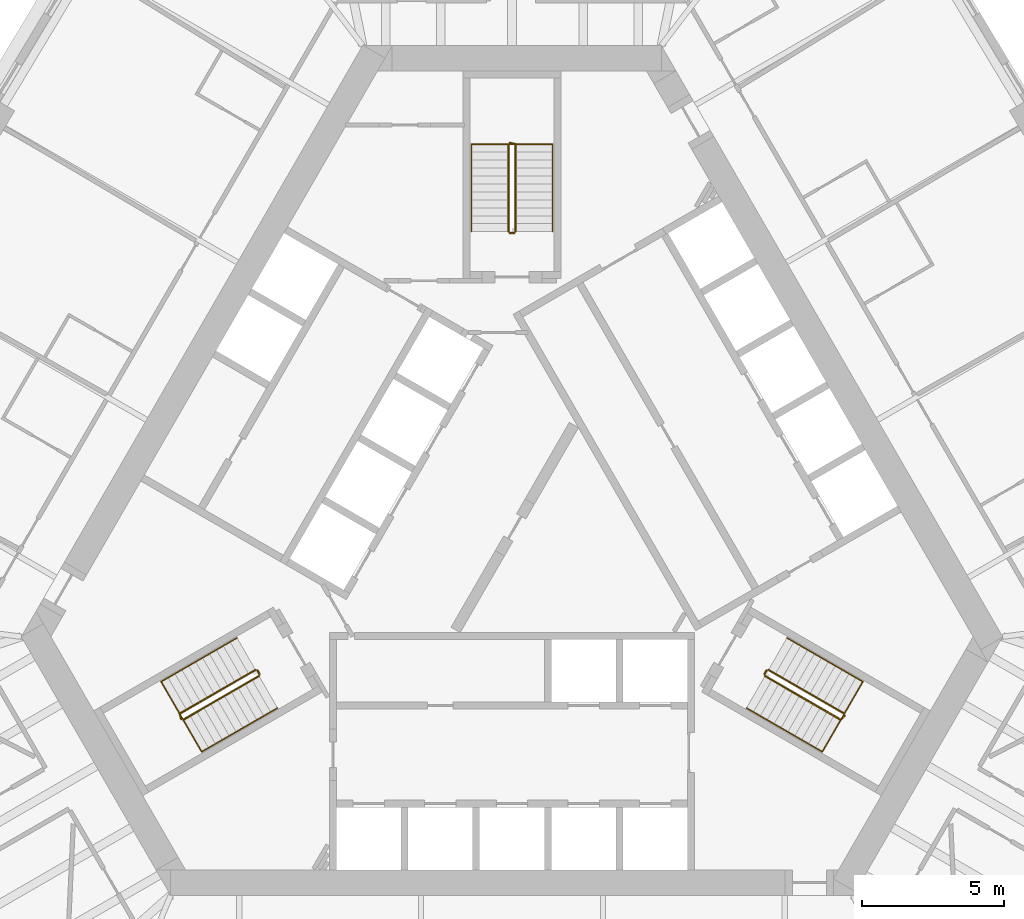
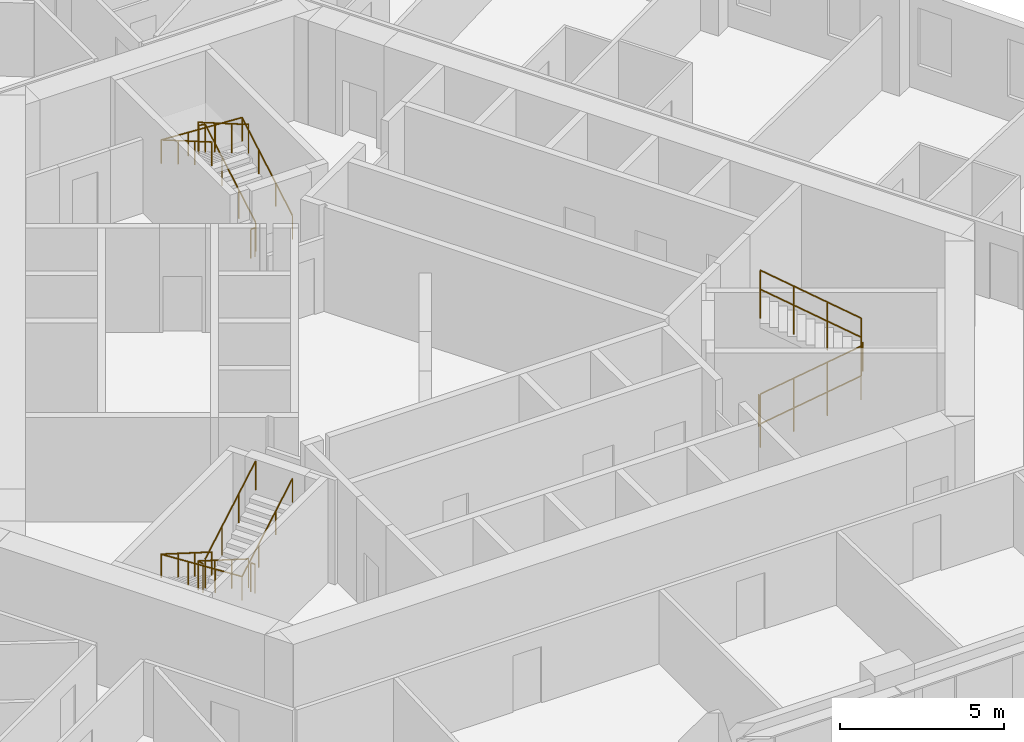
# One storey, part 12 of 12: 12 railings.
"""IFC4 building model written with IfcOpenShell, lengths in metres."""

import ifcopenshell
import ifcopenshell.guid

model = None  # the IFC model being written
_history = None  # IfcOwnerHistory: only IFC2X3 demands one
_inside = {}  # id of a spatial element -> (the spatial element, [elements in it])
_under = {}  # id of a project, library or spatial element -> (it, [spatial elements below it])
_declared = {}  # id of a project -> (the project, [libraries it declares])
_typed = {}  # id of a type object -> (the type object, [elements of that type])
_made_of = {}  # id of a material, layer set ... -> (it, [elements and type objects made of it])


def new_model(schema):
    """Start an empty IFC model of exactly this schema.

    Asked for "IFC4X3", IfcOpenShell would pick the latest addendum, in which some entities
    have other attributes; the version numbers below select the first issue.
    IFC2X3 requires an IfcOwnerHistory on every rooted entity: one is made here for all.
    """
    global model, _history
    if schema == "IFC4X3":
        model = ifcopenshell.file(schema_version=(4, 3, 0, 0))
    else:
        model = ifcopenshell.file(schema=schema)
    _inside.clear()
    _under.clear()
    _declared.clear()
    _typed.clear()
    _made_of.clear()
    _history = None
    if model.schema == "IFC2X3":
        org = make("IfcOrganization", Name="unknown")
        user = make(
            "IfcPersonAndOrganization",
            ThePerson=make("IfcPerson", FamilyName="unknown"),
            TheOrganization=org,
        )
        app = make(
            "IfcApplication",
            ApplicationDeveloper=org,
            Version="unknown",
            ApplicationFullName="unknown",
            ApplicationIdentifier="unknown",
        )
        _history = make(
            "IfcOwnerHistory",
            OwningUser=user,
            OwningApplication=app,
            ChangeAction="ADDED",
            CreationDate=0,
        )
    return model


def make(cls, **values):
    """One entity of the class cls with the attributes given. An attribute that is None is left unset."""
    return model.create_entity(
        cls, **{name: value for name, value in values.items() if value is not None}
    )


def rooted(cls, **values):
    """An entity with a GlobalId (a new one), such as an element, a storey or a relation."""
    return make(cls, GlobalId=ifcopenshell.guid.new(), OwnerHistory=_history, **values)


def si_unit(unit_type, name, prefix=None):
    """IfcSIUnit, for example si_unit("LENGTHUNIT", "METRE", prefix="MILLI")."""
    return make("IfcSIUnit", UnitType=unit_type, Prefix=prefix, Name=name)


def assignment(units):
    """IfcUnitAssignment: the units of a project."""
    return None if units is None else make("IfcUnitAssignment", Units=units)


def point(xyz):
    """IfcCartesianPoint."""
    return None if xyz is None else make("IfcCartesianPoint", Coordinates=xyz)


def direction(xyz):
    """IfcDirection."""
    return None if xyz is None else make("IfcDirection", DirectionRatios=xyz)


def frame(location, z_axis=None, x_axis=None):
    """IfcAxis2Placement3D, a coordinate frame: its origin and axes. An axis left out is left unset."""
    return make(
        "IfcAxis2Placement3D",
        Location=point(location),
        Axis=direction(z_axis),
        RefDirection=direction(x_axis),
    )


def frame_2d(location, x_axis=None):
    """IfcAxis2Placement2D, a coordinate frame in the plane: its origin and x axis."""
    return make(
        "IfcAxis2Placement2D", Location=point(location), RefDirection=direction(x_axis)
    )


def origin():
    """The frame at (0, 0, 0) with its axes left unset."""
    return frame((0.0, 0.0, 0.0))


def origin_2d():
    """The frame at (0, 0) in the plane with its x axis left unset."""
    return frame_2d((0.0, 0.0))


def place(relative_to, where):
    """IfcLocalPlacement: puts the frame where relative to a parent placement (None: the world)."""
    return make(
        "IfcLocalPlacement", PlacementRelTo=relative_to, RelativePlacement=where
    )


def context(
    kind, dimensions, precision=None, world=None, true_north=None, identifier=None
):
    """IfcGeometricRepresentationContext, for example the 3D "Model" context."""
    return make(
        "IfcGeometricRepresentationContext",
        ContextIdentifier=identifier,
        ContextType=kind,
        CoordinateSpaceDimension=dimensions,
        Precision=precision,
        WorldCoordinateSystem=world,
        TrueNorth=true_north,
    )


def subcontext(parent, identifier, kind, view, scale=None):
    """IfcGeometricRepresentationSubContext, for example "Body" below "Model"."""
    return make(
        "IfcGeometricRepresentationSubContext",
        ContextIdentifier=identifier,
        ContextType=kind,
        ParentContext=parent,
        TargetScale=scale,
        TargetView=view,
    )


def project(units=None, contexts=None):
    """IfcProject with its units and contexts."""
    return rooted(
        "IfcProject",
        Name="project",
        RepresentationContexts=contexts,
        UnitsInContext=assignment(units),
    )


def spatial(cls, under=None, at=None, **own):
    """A site, building, storey or space (cls), placed at a placement, below another one or the project."""
    s = rooted(cls, ObjectPlacement=at, **own)
    if under is not None:
        _under.setdefault(under.id(), (under, []))[1].append(s)
    return s


def profile(cls, at=None, kind="AREA", **sizes):
    """A parametric profile (cls). Its sizes go by their IFC names, for example OverallWidth=200.0."""
    return make(cls, ProfileType=kind, Position=at, **sizes)


def circle(**sizes):
    """IfcCircleProfileDef."""
    return profile("IfcCircleProfileDef", **sizes)


def extrude(swept, where, along, depth):
    """IfcExtrudedAreaSolid: the profile swept, set in the frame where, extruded along a direction by depth."""
    return make(
        "IfcExtrudedAreaSolid",
        SweptArea=swept,
        Position=where,
        ExtrudedDirection=direction(along),
        Depth=depth,
    )


def shape(context_of_items, identifier, shape_type, items):
    """IfcShapeRepresentation: the items that make up one representation, for example the "Body"."""
    return make(
        "IfcShapeRepresentation",
        ContextOfItems=context_of_items,
        RepresentationIdentifier=identifier,
        RepresentationType=shape_type,
        Items=items,
    )


def material(Name=None, Category=None):
    """IfcMaterial."""
    return make("IfcMaterial", Name=Name, Category=Category)


def made_of(thing, what):
    """Note that an element or type object is made of a material, layer set ...; save() writes the relation."""
    if what is not None:
        _made_of.setdefault(what.id(), (what, []))[1].append(thing)
    return thing


def type_object(cls, material=None, **own):
    """A type object (cls), such as IfcWallType, which elements share."""
    return made_of(rooted(cls, **own), material)


def element(
    cls,
    number,
    at=None,
    inside=None,
    cuts=None,
    type_object=None,
    material=None,
    context=None,
    identifier="Body",
    shape_type=None,
    held_by="IfcProductDefinitionShape",
    body=None,
    shapes=None,
    **own,
):
    """One element of the class cls, such as IfcWall. Its Tag is "e" and its number.

    at: its placement. inside: the storey or other place that contains it. cuts: it is an
    opening in that element (IfcRelVoidsElement). A single representation is given by context,
    identifier, shape_type and body (its items); several are given by shapes. held_by: the class
    of the entity that holds the representations. save() writes the other relations.
    """
    e = rooted(cls, Tag="e%d" % number, ObjectPlacement=at, **own)
    if body is not None:
        shapes = [shape(context, identifier, shape_type, body)]
    if shapes is not None:
        e.Representation = make(held_by, Representations=shapes)
    if inside is not None:
        _inside.setdefault(inside.id(), (inside, []))[1].append(e)
    if cuts is not None:
        rooted(
            "IfcRelVoidsElement", RelatingBuildingElement=cuts, RelatedOpeningElement=e
        )
    if type_object is not None:
        _typed.setdefault(type_object.id(), (type_object, []))[1].append(e)
    return made_of(e, material)


def aggregate(whole, parts):
    """IfcRelAggregates: a whole, such as a stair, and the parts it consists of."""
    return rooted("IfcRelAggregates", RelatingObject=whole, RelatedObjects=parts)


def save(model, path):
    """Write the relations noted so far, then the file.

    IfcRelAggregates (storeys below a building ...), IfcRelContainedInSpatialStructure (elements
    in a storey), IfcRelDefinesByType, IfcRelAssociatesMaterial and IfcRelDeclares: one each for
    every whole, place, type object, material and project.
    """
    for whole, parts in _under.values():
        aggregate(whole, parts)
    for where, things in _inside.values():
        rooted(
            "IfcRelContainedInSpatialStructure",
            RelatedElements=things,
            RelatingStructure=where,
        )
    for kind, things in _typed.values():
        rooted("IfcRelDefinesByType", RelatedObjects=things, RelatingType=kind)
    for what, things in _made_of.values():
        rooted("IfcRelAssociatesMaterial", RelatedObjects=things, RelatingMaterial=what)
    for by, libraries in _declared.values():
        rooted("IfcRelDeclares", RelatingContext=by, RelatedDefinitions=libraries)
    model.write(path)


model = new_model("IFC4")

# Units and contexts
model_context = context("Model", 3, precision=1e-05, world=origin(), true_north=direction((0.0, 1.0)))
body_context = subcontext(model_context, "Body", "Model", "MODEL_VIEW")
ifc_project = project(units=[si_unit("LENGTHUNIT", "METRE"), si_unit("AREAUNIT", "SQUARE_METRE"), si_unit("VOLUMEUNIT", "CUBIC_METRE"), si_unit("PLANEANGLEUNIT", "RADIAN"), si_unit("MASSUNIT", "GRAM", prefix="KILO")], contexts=[model_context])

# Site, building, storey
site_placement = place(None, origin())
site = spatial("IfcSite", under=ifc_project, at=site_placement, CompositionType="ELEMENT")
building_placement = place(site_placement, origin())
building = spatial("IfcBuilding", under=site, at=building_placement, Name="Mestral Congress Tower", CompositionType="ELEMENT")
storey_placement = place(building_placement, frame((0.0, 0.0, 39.300048828125)))
storey = spatial("IfcBuildingStorey", under=building, at=storey_placement, Name="L08", CompositionType="ELEMENT", Elevation=39.300048828125)

# Railings
ifc_material_1 = material(Name="Steel balustrade", Category="steel")
railing_type_1 = type_object("IfcRailingType", Name="Stair guard 1100", PredefinedType="GUARDRAIL", material=ifc_material_1)
railing_1_placement = place(storey_placement, frame((8.90087890625, -5.283203125, 0.162353515625)))
element("IfcRailing", 1, at=railing_1_placement, inside=storey, type_object=railing_type_1, Name="L08 ST1 stair guard 1", PredefinedType="GUARDRAIL", context=body_context, shape_type="SweptSolid", body=[
    extrude(circle(Radius=0.02392578125, at=origin_2d()), frame((0.0, 0.0, 1.076171875), z_axis=(0.748993966903, -0.432462603499, 0.501980212875), x_axis=(0.500026652407, 0.866010015463, 0.0)), (0.0, 0.0, 1.0), 3.56103515625),
    extrude(circle(Radius=0.02392578125, at=origin_2d()), frame((2.667236328125, -1.5400390625, 2.86376953125), z_axis=(0.695164929852, 0.718850276695, 0.0), x_axis=(-0.718850276695, 0.695164929852, 0.0)), (0.0, 0.0, 1.0), 0.2060546875),
    extrude(circle(Radius=0.02099609375, at=origin_2d()), origin(), (0.0, 0.0, 1.0), 1.052001953125),
    extrude(circle(Radius=0.02099609375, at=origin_2d()), frame((0.88916015625, -0.513427734375, 0.595947265625)), (0.0, 0.0, 1.0), 1.052001953125),
    extrude(circle(Radius=0.02099609375, at=origin_2d()), frame((1.778076171875, -1.026611328125, 1.191650390625)), (0.0, 0.0, 1.0), 1.052001953125),
    extrude(circle(Radius=0.02099609375, at=origin_2d()), frame((2.667236328125, -1.5400390625, 1.78759765625)), (0.0, 0.0, 1.0), 1.052001953125),
    extrude(circle(Radius=0.02099609375, at=origin_2d()), frame((2.810546875, -1.391845703125, 1.78759765625)), (0.0, 0.0, 1.0), 1.052001953125),
])
railing_2_placement = place(storey_placement, frame((11.693115234375, -6.606689453125, 2.112548828125)))
element("IfcRailing", 2, at=railing_2_placement, inside=storey, type_object=railing_type_1, Name="L08 ST1 stair guard 2", PredefinedType="GUARDRAIL", context=body_context, shape_type="SweptSolid", body=[
    extrude(circle(Radius=0.02392578125, at=origin_2d()), frame((0.0, 0.0, 1.076171875), z_axis=(-0.749019742845, 0.432477486304, 0.501928927906), x_axis=(-0.500026652407, -0.866010015463, 0.0)), (0.0, 0.0, 1.0), 3.56103515625),
    extrude(circle(Radius=0.02099609375, at=origin_2d()), origin(), (0.0, 0.0, 1.0), 1.052001953125),
    extrude(circle(Radius=0.02099609375, at=origin_2d()), frame((-0.88916015625, 0.513427734375, 0.595703125)), (0.0, 0.0, 1.0), 1.052001953125),
    extrude(circle(Radius=0.02099609375, at=origin_2d()), frame((-1.778076171875, 1.026611328125, 1.191650390625)), (0.0, 0.0, 1.0), 1.052001953125),
    extrude(circle(Radius=0.02099609375, at=origin_2d()), frame((-2.667236328125, 1.5400390625, 1.787353515625)), (0.0, 0.0, 1.0), 1.052001953125),
])
railing_3_placement = place(storey_placement, frame((8.882568359375, -5.21484375, 0.0)))
element("IfcRailing", 3, at=railing_3_placement, inside=storey, type_object=railing_type_1, Name="L08 ST1 stair guard 3", PredefinedType="GUARDRAIL", context=body_context, shape_type="SweptSolid", body=[
    extrude(circle(Radius=0.02392578125, at=origin_2d()), frame((0.0, 0.0, 1.076171875), z_axis=(0.499816412211, 0.866131372301, 0.0), x_axis=(-0.866131372301, 0.499816412211, 0.0)), (0.0, 0.0, 1.0), 0.14990234375),
    extrude(circle(Radius=0.02099609375, at=origin_2d()), origin(), (0.0, 0.0, 1.0), 1.052001953125),
    extrude(circle(Radius=0.02099609375, at=origin_2d()), frame((0.074951171875, 0.1298828125, 0.0)), (0.0, 0.0, 1.0), 1.052001953125),
])
railing_4_placement = place(storey_placement, frame((0.125, 10.35009765625, 0.162353515625)))
element("IfcRailing", 4, at=railing_4_placement, inside=storey, type_object=railing_type_1, Name="L08 ST2 stair guard 1", PredefinedType="GUARDRAIL", context=body_context, shape_type="SweptSolid", body=[
    extrude(circle(Radius=0.02392578125, at=origin_2d()), frame((0.0, 0.0, 1.076171875), z_axis=(0.0, 0.864873446163, 0.501989962173), x_axis=(-1.0, 0.0, 0.0)), (0.0, 0.0, 1.0), 3.56103515625),
    extrude(circle(Radius=0.02392578125, at=origin_2d()), frame((0.0, 3.079833984375, 2.86376953125), z_axis=(-0.970072785993, 0.242814311512, 0.0), x_axis=(-0.242814311512, -0.970072785993, 0.0)), (0.0, 0.0, 1.0), 0.2060546875),
    extrude(circle(Radius=0.02099609375, at=origin_2d()), origin(), (0.0, 0.0, 1.0), 1.052001953125),
    extrude(circle(Radius=0.02099609375, at=origin_2d()), frame((0.0, 1.026611328125, 0.595947265625)), (0.0, 0.0, 1.0), 1.052001953125),
    extrude(circle(Radius=0.02099609375, at=origin_2d()), frame((0.0, 2.05322265625, 1.191650390625)), (0.0, 0.0, 1.0), 1.052001953125),
    extrude(circle(Radius=0.02099609375, at=origin_2d()), frame((0.0, 3.079833984375, 1.78759765625)), (0.0, 0.0, 1.0), 1.052001953125),
    extrude(circle(Radius=0.02099609375, at=origin_2d()), frame((-0.199951171875, 3.1298828125, 1.78759765625)), (0.0, 0.0, 1.0), 1.052001953125),
])
railing_5_placement = place(storey_placement, frame((-0.125, 13.429931640625, 2.112548828125)))
element("IfcRailing", 5, at=railing_5_placement, inside=storey, type_object=railing_type_1, Name="L08 ST2 stair guard 2", PredefinedType="GUARDRAIL", context=body_context, shape_type="SweptSolid", body=[
    extrude(circle(Radius=0.02392578125, at=origin_2d()), frame((0.0, 0.0, 1.076171875), z_axis=(0.0, -0.864903211148, 0.501938676878), x_axis=(1.0, 0.0, 0.0)), (0.0, 0.0, 1.0), 3.560791015625),
    extrude(circle(Radius=0.02099609375, at=origin_2d()), origin(), (0.0, 0.0, 1.0), 1.052001953125),
    extrude(circle(Radius=0.02099609375, at=origin_2d()), frame((0.0, -1.026611328125, 0.595703125)), (0.0, 0.0, 1.0), 1.052001953125),
    extrude(circle(Radius=0.02099609375, at=origin_2d()), frame((0.0, -2.05322265625, 1.191650390625)), (0.0, 0.0, 1.0), 1.052001953125),
    extrude(circle(Radius=0.02099609375, at=origin_2d()), frame((0.0, -3.079833984375, 1.787353515625)), (0.0, 0.0, 1.0), 1.052001953125),
])
railing_6_placement = place(storey_placement, frame((0.074951171875, 10.300048828125, 0.0)))
element("IfcRailing", 6, at=railing_6_placement, inside=storey, type_object=railing_type_1, Name="L08 ST2 stair guard 3", PredefinedType="GUARDRAIL", context=body_context, shape_type="SweptSolid", body=[
    extrude(circle(Radius=0.02392578125, at=origin_2d()), frame((0.0, 0.0, 1.076171875), z_axis=(-1.0, 0.0, 0.0), x_axis=(0.0, -1.0, 0.0)), (0.0, 0.0, 1.0), 0.14990234375),
    extrude(circle(Radius=0.02099609375, at=origin_2d()), origin(), (0.0, 0.0, 1.0), 1.052001953125),
    extrude(circle(Radius=0.02099609375, at=origin_2d()), frame((-0.14990234375, 0.0, 0.0)), (0.0, 0.0, 1.0), 1.052001953125),
])
railing_7_placement = place(storey_placement, frame((-9.02587890625, -5.066650390625, 0.162353515625)))
element("IfcRailing", 7, at=railing_7_placement, inside=storey, type_object=railing_type_1, Name="L08 ST3 stair guard 1", PredefinedType="GUARDRAIL", context=body_context, shape_type="SweptSolid", body=[
    extrude(circle(Radius=0.02392578125, at=origin_2d()), frame((0.0, 0.0, 1.076171875), z_axis=(-0.748993966903, -0.432462603499, 0.501980212875), x_axis=(0.500026652407, -0.866010015463, 0.0)), (0.0, 0.0, 1.0), 3.56103515625),
    extrude(circle(Radius=0.02392578125, at=origin_2d()), frame((-2.667236328125, -1.5400390625, 2.86376953125), z_axis=(0.274721127897, -0.961523947641, 0.0), x_axis=(0.961523947641, 0.274721127897, 0.0)), (0.0, 0.0, 1.0), 0.2060546875),
    extrude(circle(Radius=0.02099609375, at=origin_2d()), origin(), (0.0, 0.0, 1.0), 1.052001953125),
    extrude(circle(Radius=0.02099609375, at=origin_2d()), frame((-0.88916015625, -0.513427734375, 0.595947265625)), (0.0, 0.0, 1.0), 1.052001953125),
    extrude(circle(Radius=0.02099609375, at=origin_2d()), frame((-1.778076171875, -1.026611328125, 1.191650390625)), (0.0, 0.0, 1.0), 1.052001953125),
    extrude(circle(Radius=0.02099609375, at=origin_2d()), frame((-2.667236328125, -1.5400390625, 1.78759765625)), (0.0, 0.0, 1.0), 1.052001953125),
    extrude(circle(Radius=0.02099609375, at=origin_2d()), frame((-2.610595703125, -1.73828125, 1.78759765625)), (0.0, 0.0, 1.0), 1.052001953125),
])
railing_8_placement = place(storey_placement, frame((-11.568115234375, -6.8232421875, 2.112548828125)))
element("IfcRailing", 8, at=railing_8_placement, inside=storey, type_object=railing_type_1, Name="L08 ST3 stair guard 2", PredefinedType="GUARDRAIL", context=body_context, shape_type="SweptSolid", body=[
    extrude(circle(Radius=0.02392578125, at=origin_2d()), frame((0.0, 0.0, 1.076171875), z_axis=(0.749019742845, 0.432477486304, 0.501928927906), x_axis=(-0.500026652407, 0.866010015463, 0.0)), (0.0, 0.0, 1.0), 3.56103515625),
    extrude(circle(Radius=0.02099609375, at=origin_2d()), origin(), (0.0, 0.0, 1.0), 1.052001953125),
    extrude(circle(Radius=0.02099609375, at=origin_2d()), frame((0.88916015625, 0.513427734375, 0.595703125)), (0.0, 0.0, 1.0), 1.052001953125),
    extrude(circle(Radius=0.02099609375, at=origin_2d()), frame((1.778076171875, 1.026611328125, 1.191650390625)), (0.0, 0.0, 1.0), 1.052001953125),
    extrude(circle(Radius=0.02099609375, at=origin_2d()), frame((2.667236328125, 1.5400390625, 1.787353515625)), (0.0, 0.0, 1.0), 1.052001953125),
])
railing_9_placement = place(storey_placement, frame((-8.95751953125, -5.0849609375, 0.0)))
element("IfcRailing", 9, at=railing_9_placement, inside=storey, type_object=railing_type_1, Name="L08 ST3 stair guard 3", PredefinedType="GUARDRAIL", context=body_context, shape_type="SweptSolid", body=[
    extrude(circle(Radius=0.02392578125, at=origin_2d()), frame((0.0, 0.0, 1.076171875), z_axis=(0.499816412211, -0.866131372301, 0.0), x_axis=(0.866131372301, 0.499816412211, 0.0)), (0.0, 0.0, 1.0), 0.14990234375),
    extrude(circle(Radius=0.02099609375, at=origin_2d()), origin(), (0.0, 0.0, 1.0), 1.052001953125),
    extrude(circle(Radius=0.02099609375, at=origin_2d()), frame((0.074951171875, -0.1298828125, 0.0)), (0.0, 0.0, 1.0), 1.052001953125),
])
ifc_material_2 = material(Name="Steel handrail", Category="steel")
railing_type_2 = type_object("IfcRailingType", Name="Stair handrail 900", PredefinedType="HANDRAIL", material=ifc_material_2)
railing_10_placement = place(storey_placement, frame((8.2509765625, -6.4091796875, 0.162353515625)))
element("IfcRailing", 10, at=railing_10_placement, inside=storey, type_object=railing_type_2, Name="L08 ST1 stair handrail 1", PredefinedType="HANDRAIL", context=body_context, shape_type="SweptSolid", body=[
    extrude(circle(Radius=0.02392578125, at=origin_2d()), frame((0.0, 0.0, 0.8759765625), z_axis=(0.749016172816, -0.432406865167, 0.50199509541), x_axis=(0.499967199496, 0.866044340336, 0.0)), (0.0, 0.0, 1.0), 3.56103515625),
    extrude(circle(Radius=0.02392578125, at=origin_2d()), frame((2.667236328125, -1.539794921875, 2.66357421875), z_axis=(0.499224505807, 0.864598343191, 0.056961370716), x_axis=(-0.866004402611, 0.500036373335, 0.0)), (0.0, 0.0, 1.0), 2.8544921875),
    extrude(circle(Radius=0.02392578125, at=origin_2d()), frame((4.09228515625, 0.92822265625, 2.826171875), z_axis=(-0.749049836341, 0.432455278019, 0.501903153199), x_axis=(-0.499992328818, -0.866029832698, 0.0)), (0.0, 0.0, 1.0), 3.56103515625),
    extrude(circle(Radius=0.02099609375, at=origin_2d()), origin(), (0.0, 0.0, 1.0), 0.851806640625),
    extrude(circle(Radius=0.02099609375, at=origin_2d()), frame((0.88916015625, -0.51318359375, 0.595947265625)), (0.0, 0.0, 1.0), 0.851806640625),
    extrude(circle(Radius=0.02099609375, at=origin_2d()), frame((1.778076171875, -1.026611328125, 1.191650390625)), (0.0, 0.0, 1.0), 0.851806640625),
    extrude(circle(Radius=0.02099609375, at=origin_2d()), frame((2.667236328125, -1.539794921875, 1.78759765625)), (0.0, 0.0, 1.0), 0.851806640625),
    extrude(circle(Radius=0.02099609375, at=origin_2d()), frame((3.142333984375, -0.717041015625, 1.841796875)), (0.0, 0.0, 1.0), 0.851806640625),
    extrude(circle(Radius=0.02099609375, at=origin_2d()), frame((3.6171875, 0.10546875, 1.89599609375)), (0.0, 0.0, 1.0), 0.851806640625),
    extrude(circle(Radius=0.02099609375, at=origin_2d()), frame((4.09228515625, 0.92822265625, 1.9501953125)), (0.0, 0.0, 1.0), 0.851806640625),
    extrude(circle(Radius=0.02099609375, at=origin_2d()), frame((3.203125, 1.441650390625, 2.5458984375)), (0.0, 0.0, 1.0), 0.851806640625),
    extrude(circle(Radius=0.02099609375, at=origin_2d()), frame((2.31396484375, 1.954833984375, 3.141845703125)), (0.0, 0.0, 1.0), 0.851806640625),
    extrude(circle(Radius=0.02099609375, at=origin_2d()), frame((1.4248046875, 2.46826171875, 3.737548828125)), (0.0, 0.0, 1.0), 0.851806640625),
])
railing_11_placement = place(storey_placement, frame((1.425048828125, 10.35009765625, 0.162353515625)))
element("IfcRailing", 11, at=railing_11_placement, inside=storey, type_object=railing_type_2, Name="L08 ST2 stair handrail 1", PredefinedType="HANDRAIL", context=body_context, shape_type="SweptSolid", body=[
    extrude(circle(Radius=0.02392578125, at=origin_2d()), frame((0.0, 0.0, 0.8759765625), z_axis=(0.0, 0.864873446163, 0.501989962173), x_axis=(-1.0, 0.0, 0.0)), (0.0, 0.0, 1.0), 3.56103515625),
    extrude(circle(Radius=0.02392578125, at=origin_2d()), frame((0.0, 3.079833984375, 2.66357421875), z_axis=(-0.998376618682, 0.0, 0.056957240709), x_axis=(0.0, -1.0, 0.0)), (0.0, 0.0, 1.0), 2.854736328125),
    extrude(circle(Radius=0.02392578125, at=origin_2d()), frame((-2.85009765625, 3.079833984375, 2.826171875), z_axis=(0.0, -0.864903211148, 0.501938676878), x_axis=(1.0, 0.0, 0.0)), (0.0, 0.0, 1.0), 3.560791015625),
    extrude(circle(Radius=0.02099609375, at=origin_2d()), origin(), (0.0, 0.0, 1.0), 0.851806640625),
    extrude(circle(Radius=0.02099609375, at=origin_2d()), frame((0.0, 1.026611328125, 0.595947265625)), (0.0, 0.0, 1.0), 0.851806640625),
    extrude(circle(Radius=0.02099609375, at=origin_2d()), frame((0.0, 2.05322265625, 1.191650390625)), (0.0, 0.0, 1.0), 0.851806640625),
    extrude(circle(Radius=0.02099609375, at=origin_2d()), frame((0.0, 3.079833984375, 1.78759765625)), (0.0, 0.0, 1.0), 0.851806640625),
    extrude(circle(Radius=0.02099609375, at=origin_2d()), frame((-0.949951171875, 3.079833984375, 1.841796875)), (0.0, 0.0, 1.0), 0.851806640625),
    extrude(circle(Radius=0.02099609375, at=origin_2d()), frame((-1.900146484375, 3.079833984375, 1.89599609375)), (0.0, 0.0, 1.0), 0.851806640625),
    extrude(circle(Radius=0.02099609375, at=origin_2d()), frame((-2.85009765625, 3.079833984375, 1.9501953125)), (0.0, 0.0, 1.0), 0.851806640625),
    extrude(circle(Radius=0.02099609375, at=origin_2d()), frame((-2.85009765625, 2.05322265625, 2.5458984375)), (0.0, 0.0, 1.0), 0.851806640625),
    extrude(circle(Radius=0.02099609375, at=origin_2d()), frame((-2.85009765625, 1.026611328125, 3.141845703125)), (0.0, 0.0, 1.0), 0.851806640625),
    extrude(circle(Radius=0.02099609375, at=origin_2d()), frame((-2.85009765625, 0.0, 3.737548828125)), (0.0, 0.0, 1.0), 0.851806640625),
])
railing_12_placement = place(storey_placement, frame((-9.67578125, -3.94091796875, 0.162353515625)))
element("IfcRailing", 12, at=railing_12_placement, inside=storey, type_object=railing_type_2, Name="L08 ST3 stair handrail 1", PredefinedType="HANDRAIL", context=body_context, shape_type="SweptSolid", body=[
    extrude(circle(Radius=0.02392578125, at=origin_2d()), frame((0.0, 0.0, 0.8759765625), z_axis=(-0.74902406201, -0.432440397507, 0.501954437309), x_axis=(0.499992328818, -0.866029832698, 0.0)), (0.0, 0.0, 1.0), 3.561279296875),
    extrude(circle(Radius=0.02392578125, at=origin_2d()), frame((-2.66748046875, -1.5400390625, 2.66357421875), z_axis=(0.499224505807, -0.864598343191, 0.056961370716), x_axis=(0.866004402611, 0.500036373335, 0.0)), (0.0, 0.0, 1.0), 2.8544921875),
    extrude(circle(Radius=0.02392578125, at=origin_2d()), frame((-1.242431640625, -4.008056640625, 2.826171875), z_axis=(0.749041951051, 0.432421746936, 0.501943809945), x_axis=(-0.499967199496, 0.866044340336, 0.0)), (0.0, 0.0, 1.0), 3.560791015625),
    extrude(circle(Radius=0.02099609375, at=origin_2d()), origin(), (0.0, 0.0, 1.0), 0.851806640625),
    extrude(circle(Radius=0.02099609375, at=origin_2d()), frame((-0.88916015625, -0.513427734375, 0.595947265625)), (0.0, 0.0, 1.0), 0.851806640625),
    extrude(circle(Radius=0.02099609375, at=origin_2d()), frame((-1.7783203125, -1.026611328125, 1.191650390625)), (0.0, 0.0, 1.0), 0.851806640625),
    extrude(circle(Radius=0.02099609375, at=origin_2d()), frame((-2.66748046875, -1.5400390625, 1.78759765625)), (0.0, 0.0, 1.0), 0.851806640625),
    extrude(circle(Radius=0.02099609375, at=origin_2d()), frame((-2.1923828125, -2.36279296875, 1.841796875)), (0.0, 0.0, 1.0), 0.851806640625),
    extrude(circle(Radius=0.02099609375, at=origin_2d()), frame((-1.717529296875, -3.185302734375, 1.89599609375)), (0.0, 0.0, 1.0), 0.851806640625),
    extrude(circle(Radius=0.02099609375, at=origin_2d()), frame((-1.242431640625, -4.008056640625, 1.9501953125)), (0.0, 0.0, 1.0), 0.851806640625),
    extrude(circle(Radius=0.02099609375, at=origin_2d()), frame((-0.353271484375, -3.494873046875, 2.5458984375)), (0.0, 0.0, 1.0), 0.851806640625),
    extrude(circle(Radius=0.02099609375, at=origin_2d()), frame((0.53564453125, -2.9814453125, 3.141845703125)), (0.0, 0.0, 1.0), 0.851806640625),
    extrude(circle(Radius=0.02099609375, at=origin_2d()), frame((1.4248046875, -2.46826171875, 3.737548828125)), (0.0, 0.0, 1.0), 0.851806640625),
])

save(model, "model.ifc")
